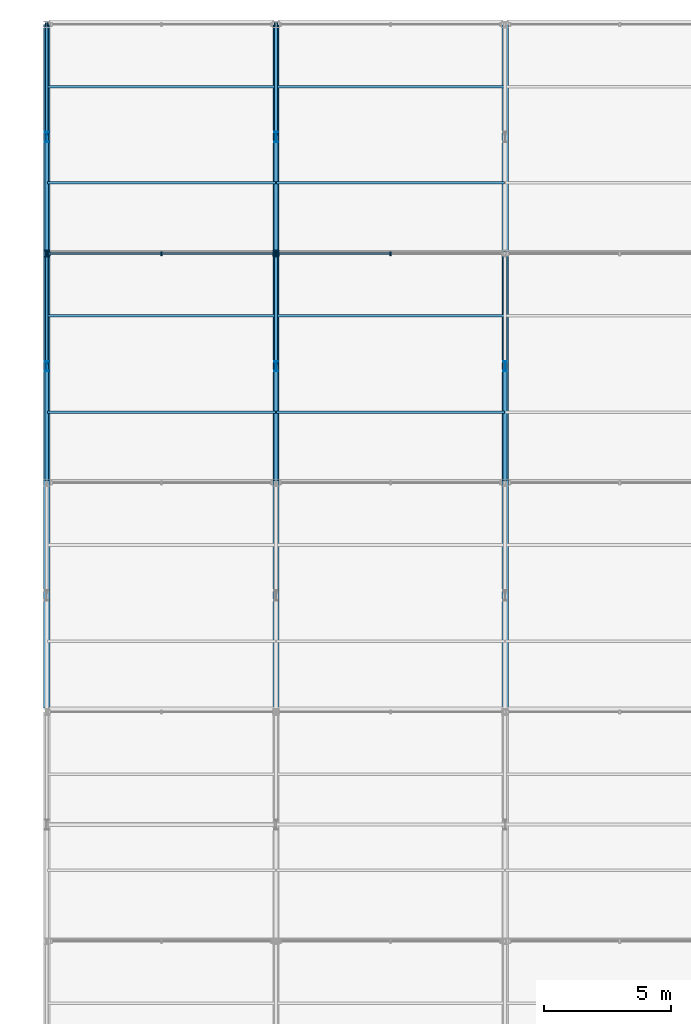
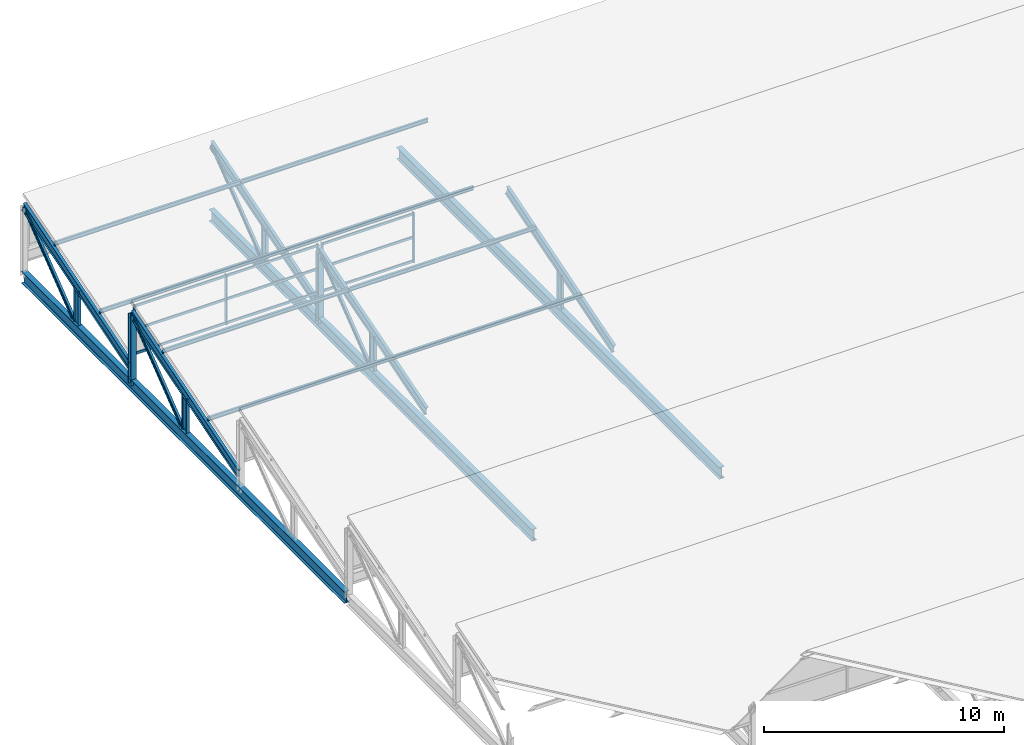
# One storey, part 91 of 163: 38 members, 3 beams, 2 elements without a shape of their own.
"""IFC4 building model written with IfcOpenShell, lengths in metres."""

from ifc_helpers import new_model, si_unit, direction, frame, origin, origin_2d, place, context, subcontext, project, spatial, rectangle, i_section, extrude, material, material_profile, profile_set, type_object, element, aggregate, save


model = new_model("IFC4")

# Units and contexts
model_context = context("Model", 3, precision=1e-05, world=origin(), true_north=direction((0.0, 1.0)))
body_context = subcontext(model_context, "Body", "Model", "MODEL_VIEW")
ifc_project = project(units=[si_unit("LENGTHUNIT", "METRE"), si_unit("AREAUNIT", "SQUARE_METRE"), si_unit("VOLUMEUNIT", "CUBIC_METRE"), si_unit("PLANEANGLEUNIT", "RADIAN"), si_unit("MASSUNIT", "GRAM", prefix="KILO")], contexts=[model_context])

# Site, building, storey
site_placement = place(None, origin())
site = spatial("IfcSite", under=ifc_project, at=site_placement, CompositionType="ELEMENT")
building_placement = place(site_placement, origin())
building = spatial("IfcBuilding", under=site, at=building_placement, Name="Tharagai Park Tramway Depot", CompositionType="ELEMENT")
storey_placement = place(building_placement, frame((0.0, 0.0, 8.39990234375)))
storey = spatial("IfcBuildingStorey", under=building, at=storey_placement, Name="L02", CompositionType="ELEMENT", Elevation=8.39990234375)

# Beams
ifc_material_1 = material(Name="Steel E350", Category="steel")
ifc_material_profile_1 = material_profile(ifc_material_1, i_section(OverallWidth=0.25, OverallDepth=0.60009765625, WebThickness=0.01171875, FlangeThickness=0.023681640625, FilletRadius=0.01708984375, at=origin_2d()), Name="ISWB 600")
ifc_profile_set_1 = profile_set([ifc_material_profile_1], Name="Steel E350")
beam_type = type_object("IfcBeamType", Name="BM-01", PredefinedType="BEAM", material=ifc_profile_set_1)
for number, where, z_axis, x_axis, name in (
    (1, (0.0, 117.080078125, -0.25), (0.0, 1.0, 0.0), (-1.0, 0.0, 0.0), "Sawtooth Truss Bottom Tie Girder BM-01"),
    (2, (9.0, 117.080078125, -0.25), (0.0, 1.0, 0.0), (-1.0, 0.0, 0.0), "Sawtooth Truss Bottom Tie Girder BM-01"),
    (3, (18.0, 117.080078125, -0.25), (0.0, 1.0, 0.0), (-1.0, 0.0, 0.0), "Sawtooth Truss Bottom Tie Girder BM-01"),
):
    element("IfcBeam", number, at=place(storey_placement, frame(where, z_axis=z_axis, x_axis=x_axis)), inside=storey, type_object=beam_type, Name=name, PredefinedType="BEAM", context=body_context, shape_type="SweptSolid", body=[
        extrude(i_section(OverallWidth=0.25, OverallDepth=0.60009765625, WebThickness=0.01171875, FlangeThickness=0.023681640625, FilletRadius=0.01708984375, at=origin_2d()), origin(), (0.0, 0.0, 1.0), 26.83984375),
    ])

# Members
ifc_material_profile_2 = material_profile(ifc_material_1, i_section(OverallWidth=0.25, OverallDepth=0.25, WebThickness=0.0087890625, FlangeThickness=0.009765625, FilletRadius=0.010009765625, at=origin_2d()), Name="ISHB 250")
ifc_profile_set_2 = profile_set([ifc_material_profile_2], Name="Steel E350")
member_type_1 = type_object("IfcMemberType", Name="BR-01", PredefinedType="BRACE", material=ifc_profile_set_2)
for number, where, z_axis, x_axis, name in (
    (4, (0.0, 134.919921875, -0.25), (0.0, 0.0, 1.0), (1.0, 0.0, 0.0), "Sawtooth North Vertical Post BR-01"),
    (5, (9.0, 134.919921875, -0.25), (0.0, 0.0, 1.0), (1.0, 0.0, 0.0), "Sawtooth North Vertical Post BR-01"),
):
    element("IfcMember", number, at=place(storey_placement, frame(where, z_axis=z_axis, x_axis=x_axis)), inside=storey, type_object=member_type_1, Name=name, PredefinedType="BRACE", context=body_context, shape_type="SweptSolid", body=[
        extrude(i_section(OverallWidth=0.25, OverallDepth=0.25, WebThickness=0.0087890625, FlangeThickness=0.009765625, FilletRadius=0.010009765625, at=origin_2d()), origin(), (0.0, 0.0, 1.0), 3.55517578125),
    ])
ifc_material_profile_3 = material_profile(ifc_material_1, i_section(OverallWidth=0.110107421875, OverallDepth=0.22509765625, WebThickness=0.006591796875, FlangeThickness=0.01171875, FilletRadius=0.011962890625, at=origin_2d()), Name="ISMB 225")
ifc_profile_set_3 = profile_set([ifc_material_profile_3], Name="Steel E350")
member_type_2 = type_object("IfcMemberType", Name="BR-04", PredefinedType="BRACE", material=ifc_profile_set_3)
for number, where, z_axis, x_axis, name in (
    (6, (0.0, 130.64990234375, 0.0), (0.0, 0.790781596, 0.612098413188), (-1.0, 0.0, 0.0), "Sawtooth Truss Web Diagonal BR-04"),
    (7, (0.0, 139.64990234375, 0.0), (0.0, 0.790781596, 0.612098413188), (-1.0, 0.0, 0.0), "Sawtooth Truss Web Diagonal BR-04"),
    (8, (9.0, 130.64990234375, 0.0), (0.0, 0.790781596, 0.612098413188), (-1.0, 0.0, 0.0), "Sawtooth Truss Web Diagonal BR-04"),
    (9, (9.0, 139.64990234375, 0.0), (0.0, 0.790781596, 0.612098413188), (-1.0, 0.0, 0.0), "Sawtooth Truss Web Diagonal BR-04"),
):
    element("IfcMember", number, at=place(storey_placement, frame(where, z_axis=z_axis, x_axis=x_axis)), inside=storey, type_object=member_type_2, Name=name, PredefinedType="BRACE", context=body_context, shape_type="SweptSolid", body=[
        extrude(i_section(OverallWidth=0.110107421875, OverallDepth=0.22509765625, WebThickness=0.006591796875, FlangeThickness=0.01171875, FilletRadius=0.011962890625, at=origin_2d()), origin(), (0.0, 0.0, 1.0), 5.399658203125),
    ])

# Curtain wall, members
ifc_material_2 = material(Name="Anodised aluminium", Category="aluminium")
curtain_wall_type = type_object("IfcCurtainWallType", Name="CW-04", PredefinedType="NOTDEFINED", material=ifc_material_2)
curtain_wall_1_placement = place(storey_placement, origin())
curtain_wall_1 = element("IfcCurtainWall", 10, at=curtain_wall_1_placement, inside=storey, type_object=curtain_wall_type, Name="Sawtooth North-Light Clerestory CW-04", PredefinedType="NOTDEFINED")
ifc_material_profile_4 = material_profile(ifc_material_2, rectangle(XDim=0.06494140625, YDim=0.1201171875, at=origin_2d()), Name="ALU 65x120")
ifc_profile_set_4 = profile_set([ifc_material_profile_4], Name="Anodised aluminium")
member_type_3 = type_object("IfcMemberType", Name="CM-01", PredefinedType="USERDEFINED", material=ifc_profile_set_4)
member_1_placement = place(storey_placement, frame((0.114990234375, 134.919921875, 1.26513671875), z_axis=(1.0, 0.0, 0.0), x_axis=(0.0, 1.0, 0.0)))
member_1 = element("IfcMember", 11, at=member_1_placement, type_object=member_type_3, Name="Sawtooth North-Light Clerestory Transom 1.1", ObjectType="TRANSOM", PredefinedType="USERDEFINED", context=body_context, shape_type="SweptSolid", body=[
    extrude(rectangle(XDim=0.06494140625, YDim=0.1201171875, at=origin_2d()), origin(), (0.0, 0.0, 1.0), 4.3701171875),
])
member_2_placement = place(storey_placement, frame((0.114990234375, 134.919921875, 2.4736328125), z_axis=(1.0, 0.0, 0.0), x_axis=(0.0, 1.0, 0.0)))
member_2 = element("IfcMember", 12, at=member_2_placement, type_object=member_type_3, Name="Sawtooth North-Light Clerestory Transom 1.2", ObjectType="TRANSOM", PredefinedType="USERDEFINED", context=body_context, shape_type="SweptSolid", body=[
    extrude(rectangle(XDim=0.06494140625, YDim=0.1201171875, at=origin_2d()), origin(), (0.0, 0.0, 1.0), 4.3701171875),
])
member_3_placement = place(storey_placement, frame((0.114990234375, 134.919921875, 3.662353515625), z_axis=(1.0, 0.0, 0.0), x_axis=(0.0, 1.0, 0.0)))
member_3 = element("IfcMember", 13, at=member_3_placement, type_object=member_type_3, Name="Sawtooth North-Light Clerestory Transom 1.3", ObjectType="TRANSOM", PredefinedType="USERDEFINED", context=body_context, shape_type="SweptSolid", body=[
    extrude(rectangle(XDim=0.06494140625, YDim=0.1201171875, at=origin_2d()), origin(), (0.0, 0.0, 1.0), 4.3701171875),
])
member_4_placement = place(storey_placement, frame((4.514892578125, 134.919921875, 1.26513671875), z_axis=(1.0, 0.0, 0.0), x_axis=(0.0, 1.0, 0.0)))
member_4 = element("IfcMember", 14, at=member_4_placement, type_object=member_type_3, Name="Sawtooth North-Light Clerestory Transom 2.1", ObjectType="TRANSOM", PredefinedType="USERDEFINED", context=body_context, shape_type="SweptSolid", body=[
    extrude(rectangle(XDim=0.06494140625, YDim=0.1201171875, at=origin_2d()), origin(), (0.0, 0.0, 1.0), 4.3701171875),
])
member_5_placement = place(storey_placement, frame((4.514892578125, 134.919921875, 2.4736328125), z_axis=(1.0, 0.0, 0.0), x_axis=(0.0, 1.0, 0.0)))
member_5 = element("IfcMember", 15, at=member_5_placement, type_object=member_type_3, Name="Sawtooth North-Light Clerestory Transom 2.2", ObjectType="TRANSOM", PredefinedType="USERDEFINED", context=body_context, shape_type="SweptSolid", body=[
    extrude(rectangle(XDim=0.06494140625, YDim=0.1201171875, at=origin_2d()), origin(), (0.0, 0.0, 1.0), 4.3701171875),
])
member_6_placement = place(storey_placement, frame((4.514892578125, 134.919921875, 3.662353515625), z_axis=(1.0, 0.0, 0.0), x_axis=(0.0, 1.0, 0.0)))
member_6 = element("IfcMember", 16, at=member_6_placement, type_object=member_type_3, Name="Sawtooth North-Light Clerestory Transom 2.3", ObjectType="TRANSOM", PredefinedType="USERDEFINED", context=body_context, shape_type="SweptSolid", body=[
    extrude(rectangle(XDim=0.06494140625, YDim=0.1201171875, at=origin_2d()), origin(), (0.0, 0.0, 1.0), 4.3701171875),
])

curtain_wall_2_placement = place(storey_placement, origin())
curtain_wall_2 = element("IfcCurtainWall", 17, at=curtain_wall_2_placement, inside=storey, type_object=curtain_wall_type, Name="Sawtooth North-Light Clerestory CW-04", PredefinedType="NOTDEFINED")
member_7_placement = place(storey_placement, frame((9.114990234375, 134.919921875, 1.26513671875), z_axis=(1.0, 0.0, 0.0), x_axis=(0.0, 1.0, 0.0)))
member_7 = element("IfcMember", 18, at=member_7_placement, type_object=member_type_3, Name="Sawtooth North-Light Clerestory Transom 1.1", ObjectType="TRANSOM", PredefinedType="USERDEFINED", context=body_context, shape_type="SweptSolid", body=[
    extrude(rectangle(XDim=0.06494140625, YDim=0.1201171875, at=origin_2d()), origin(), (0.0, 0.0, 1.0), 4.3701171875),
])
member_8_placement = place(storey_placement, frame((9.114990234375, 134.919921875, 2.4736328125), z_axis=(1.0, 0.0, 0.0), x_axis=(0.0, 1.0, 0.0)))
member_8 = element("IfcMember", 19, at=member_8_placement, type_object=member_type_3, Name="Sawtooth North-Light Clerestory Transom 1.2", ObjectType="TRANSOM", PredefinedType="USERDEFINED", context=body_context, shape_type="SweptSolid", body=[
    extrude(rectangle(XDim=0.06494140625, YDim=0.1201171875, at=origin_2d()), origin(), (0.0, 0.0, 1.0), 4.3701171875),
])
member_9_placement = place(storey_placement, frame((9.114990234375, 134.919921875, 3.662353515625), z_axis=(1.0, 0.0, 0.0), x_axis=(0.0, 1.0, 0.0)))
member_9 = element("IfcMember", 20, at=member_9_placement, type_object=member_type_3, Name="Sawtooth North-Light Clerestory Transom 1.3", ObjectType="TRANSOM", PredefinedType="USERDEFINED", context=body_context, shape_type="SweptSolid", body=[
    extrude(rectangle(XDim=0.06494140625, YDim=0.1201171875, at=origin_2d()), origin(), (0.0, 0.0, 1.0), 4.3701171875),
])

# Member
ifc_material_profile_5 = material_profile(ifc_material_2, rectangle(XDim=0.06494140625, YDim=0.14990234375, at=origin_2d()), Name="ALU 65x150")
ifc_profile_set_5 = profile_set([ifc_material_profile_5], Name="Anodised aluminium")
member_type_4 = type_object("IfcMemberType", Name="CM-03", PredefinedType="MULLION", material=ifc_profile_set_5)
member_10_placement = place(storey_placement, frame((0.10009765625, 134.919921875, 1.2001953125), z_axis=(0.0, 0.0, 1.0), x_axis=(1.0, 0.0, 0.0)))
member_10 = element("IfcMember", 21, at=member_10_placement, type_object=member_type_4, Name="Sawtooth North-Light Clerestory Mullion 1", PredefinedType="MULLION", context=body_context, shape_type="SweptSolid", body=[
    extrude(rectangle(XDim=0.06494140625, YDim=0.14990234375, at=origin_2d()), origin(), (0.0, 0.0, 1.0), 2.547119140625),
])

member_11_placement = place(storey_placement, frame((4.5, 134.919921875, 1.2001953125), z_axis=(0.0, 0.0, 1.0), x_axis=(1.0, 0.0, 0.0)))
member_11 = element("IfcMember", 22, at=member_11_placement, type_object=member_type_4, Name="Sawtooth North-Light Clerestory Mullion 2", PredefinedType="MULLION", context=body_context, shape_type="SweptSolid", body=[
    extrude(rectangle(XDim=0.06494140625, YDim=0.14990234375, at=origin_2d()), origin(), (0.0, 0.0, 1.0), 2.547119140625),
])

member_12_placement = place(storey_placement, frame((8.89990234375, 134.919921875, 1.2001953125), z_axis=(0.0, 0.0, 1.0), x_axis=(1.0, 0.0, 0.0)))
member_12 = element("IfcMember", 23, at=member_12_placement, type_object=member_type_4, Name="Sawtooth North-Light Clerestory Mullion 3", PredefinedType="MULLION", context=body_context, shape_type="SweptSolid", body=[
    extrude(rectangle(XDim=0.06494140625, YDim=0.14990234375, at=origin_2d()), origin(), (0.0, 0.0, 1.0), 2.547119140625),
])

aggregate(curtain_wall_1, [member_10, member_11, member_12, member_1, member_2, member_3, member_4, member_5, member_6])

member_13_placement = place(storey_placement, frame((9.10009765625, 134.919921875, 1.2001953125), z_axis=(0.0, 0.0, 1.0), x_axis=(1.0, 0.0, 0.0)))
member_13 = element("IfcMember", 24, at=member_13_placement, type_object=member_type_4, Name="Sawtooth North-Light Clerestory Mullion 1", PredefinedType="MULLION", context=body_context, shape_type="SweptSolid", body=[
    extrude(rectangle(XDim=0.06494140625, YDim=0.14990234375, at=origin_2d()), origin(), (0.0, 0.0, 1.0), 2.547119140625),
])

member_14_placement = place(storey_placement, frame((13.5, 134.919921875, 1.2001953125), z_axis=(0.0, 0.0, 1.0), x_axis=(1.0, 0.0, 0.0)))
member_14 = element("IfcMember", 25, at=member_14_placement, type_object=member_type_4, Name="Sawtooth North-Light Clerestory Mullion 2", PredefinedType="MULLION", context=body_context, shape_type="SweptSolid", body=[
    extrude(rectangle(XDim=0.06494140625, YDim=0.14990234375, at=origin_2d()), origin(), (0.0, 0.0, 1.0), 2.547119140625),
])

aggregate(curtain_wall_2, [member_13, member_14, member_7, member_8, member_9])

# Members
ifc_material_3 = material(Name="Steel E250", Category="steel")
ifc_material_profile_6 = material_profile(ifc_material_3, i_section(OverallWidth=0.10009765625, OverallDepth=0.199951171875, WebThickness=0.00537109375, FlangeThickness=0.00732421875, FilletRadius=0.009033203125, at=origin_2d()), Name="ISLB 200")
ifc_profile_set_6 = profile_set([ifc_material_profile_6], Name="Steel E250")
member_type_5 = type_object("IfcMemberType", Name="PR-03", PredefinedType="PURLIN", material=ifc_profile_set_6)
for number, where, z_axis, x_axis, name in (
    (26, (0.02001953125, 137.699951171875, 1.733154296875), (1.0, 0.0, 0.0), (0.0, 1.0, 0.0), "Sawtooth Roof Purlin PR-03"),
    (27, (0.02001953125, 141.47998046875, 2.87451171875), (1.0, 0.0, 0.0), (0.0, 1.0, 0.0), "Sawtooth Roof Purlin PR-03"),
    (28, (9.02001953125, 137.699951171875, 1.733154296875), (1.0, 0.0, 0.0), (0.0, 1.0, 0.0), "Sawtooth Roof Purlin PR-03"),
    (29, (9.02001953125, 141.47998046875, 2.87451171875), (1.0, 0.0, 0.0), (0.0, 1.0, 0.0), "Sawtooth Roof Purlin PR-03"),
):
    element("IfcMember", number, at=place(storey_placement, frame(where, z_axis=z_axis, x_axis=x_axis)), inside=storey, type_object=member_type_5, Name=name, PredefinedType="PURLIN", context=body_context, shape_type="SweptSolid", body=[
        extrude(i_section(OverallWidth=0.10009765625, OverallDepth=0.199951171875, WebThickness=0.00537109375, FlangeThickness=0.00732421875, FilletRadius=0.009033203125, at=origin_2d()), origin(), (0.0, 0.0, 1.0), 8.9599609375),
    ])
ifc_material_profile_7 = material_profile(ifc_material_3, i_section(OverallWidth=0.10009765625, OverallDepth=0.199951171875, WebThickness=0.005615234375, FlangeThickness=0.0107421875, FilletRadius=0.010986328125, at=origin_2d()), Name="ISMB 200")
ifc_profile_set_7 = profile_set([ifc_material_profile_7], Name="Steel E250")
member_type_6 = type_object("IfcMemberType", Name="PR-04", PredefinedType="PURLIN", material=ifc_profile_set_7)
for number, where, z_axis, x_axis, name in (
    (30, (0.02001953125, 128.699951171875, 1.733154296875), (1.0, 0.0, 0.0), (0.0, 1.0, 0.0), "Sawtooth Roof Purlin PR-04"),
    (31, (0.02001953125, 132.47998046875, 2.87451171875), (1.0, 0.0, 0.0), (0.0, 1.0, 0.0), "Sawtooth Roof Purlin PR-04"),
    (32, (9.02001953125, 128.699951171875, 1.733154296875), (1.0, 0.0, 0.0), (0.0, 1.0, 0.0), "Sawtooth Roof Purlin PR-04"),
    (33, (9.02001953125, 132.47998046875, 2.87451171875), (1.0, 0.0, 0.0), (0.0, 1.0, 0.0), "Sawtooth Roof Purlin PR-04"),
):
    element("IfcMember", number, at=place(storey_placement, frame(where, z_axis=z_axis, x_axis=x_axis)), inside=storey, type_object=member_type_6, Name=name, PredefinedType="PURLIN", context=body_context, shape_type="SweptSolid", body=[
        extrude(i_section(OverallWidth=0.10009765625, OverallDepth=0.199951171875, WebThickness=0.005615234375, FlangeThickness=0.0107421875, FilletRadius=0.010986328125, at=origin_2d()), origin(), (0.0, 0.0, 1.0), 8.9599609375),
    ])
ifc_material_profile_8 = material_profile(ifc_material_1, i_section(OverallWidth=0.14990234375, OverallDepth=0.449951171875, WebThickness=0.009521484375, FlangeThickness=0.017333984375, FilletRadius=0.014892578125, at=origin_2d()), Name="ISMB 450")
ifc_profile_set_8 = profile_set([ifc_material_profile_8], Name="Steel E350")
member_type_7 = type_object("IfcMemberType", Name="TC-05", PredefinedType="CHORD", material=ifc_profile_set_8)
for number, where, z_axis, x_axis, name in (
    (34, (0.0, 126.06005859375, 0.587890625), (0.0, 0.956231486327, 0.29261125159), (-1.0, 0.0, 0.0), "Sawtooth Top Chord TC-05"),
    (35, (0.0, 135.06005859375, 0.587890625), (0.0, 0.956231486327, 0.29261125159), (-1.0, 0.0, 0.0), "Sawtooth Top Chord TC-05"),
    (36, (9.0, 126.06005859375, 0.587890625), (0.0, 0.956231486327, 0.29261125159), (-1.0, 0.0, 0.0), "Sawtooth Top Chord TC-05"),
    (37, (9.0, 135.06005859375, 0.587890625), (0.0, 0.956231486327, 0.29261125159), (-1.0, 0.0, 0.0), "Sawtooth Top Chord TC-05"),
    (38, (18.0, 126.06005859375, 0.587890625), (0.0, 0.956231486327, 0.29261125159), (-1.0, 0.0, 0.0), "Sawtooth Top Chord TC-05"),
):
    element("IfcMember", number, at=place(storey_placement, frame(where, z_axis=z_axis, x_axis=x_axis)), inside=storey, type_object=member_type_7, Name=name, PredefinedType="CHORD", context=body_context, shape_type="SweptSolid", body=[
        extrude(i_section(OverallWidth=0.14990234375, OverallDepth=0.449951171875, WebThickness=0.009521484375, FlangeThickness=0.017333984375, FilletRadius=0.014892578125, at=origin_2d()), origin(), (0.0, 0.0, 1.0), 9.286376953125),
    ])
ifc_material_profile_9 = material_profile(ifc_material_1, i_section(OverallWidth=0.139892578125, OverallDepth=0.39990234375, WebThickness=0.0087890625, FlangeThickness=0.01611328125, FilletRadius=0.013916015625, at=origin_2d()), Name="ISMB 400")
ifc_profile_set_9 = profile_set([ifc_material_profile_9], Name="Steel E350")
member_type_8 = type_object("IfcMemberType", Name="TC-06", PredefinedType="CHORD", material=ifc_profile_set_9)
for number, where, z_axis, x_axis, name in (
    (39, (0.0, 130.5, -0.0498046875), (0.0, 0.0, 1.0), (1.0, 0.0, 0.0), "Sawtooth Mid-Tooth Strut TC-06"),
    (40, (0.0, 139.5, -0.0498046875), (0.0, 0.0, 1.0), (1.0, 0.0, 0.0), "Sawtooth Mid-Tooth Strut TC-06"),
    (41, (9.0, 130.5, -0.0498046875), (0.0, 0.0, 1.0), (1.0, 0.0, 0.0), "Sawtooth Mid-Tooth Strut TC-06"),
    (42, (9.0, 139.5, -0.0498046875), (0.0, 0.0, 1.0), (1.0, 0.0, 0.0), "Sawtooth Mid-Tooth Strut TC-06"),
    (43, (18.0, 130.5, -0.0498046875), (0.0, 0.0, 1.0), (1.0, 0.0, 0.0), "Sawtooth Mid-Tooth Strut TC-06"),
):
    element("IfcMember", number, at=place(storey_placement, frame(where, z_axis=z_axis, x_axis=x_axis)), inside=storey, type_object=member_type_8, Name=name, PredefinedType="CHORD", context=body_context, shape_type="SweptSolid", body=[
        extrude(i_section(OverallWidth=0.139892578125, OverallDepth=0.39990234375, WebThickness=0.0087890625, FlangeThickness=0.01611328125, FilletRadius=0.013916015625, at=origin_2d()), origin(), (0.0, 0.0, 1.0), 1.846435546875),
    ])

save(model, "model.ifc")
